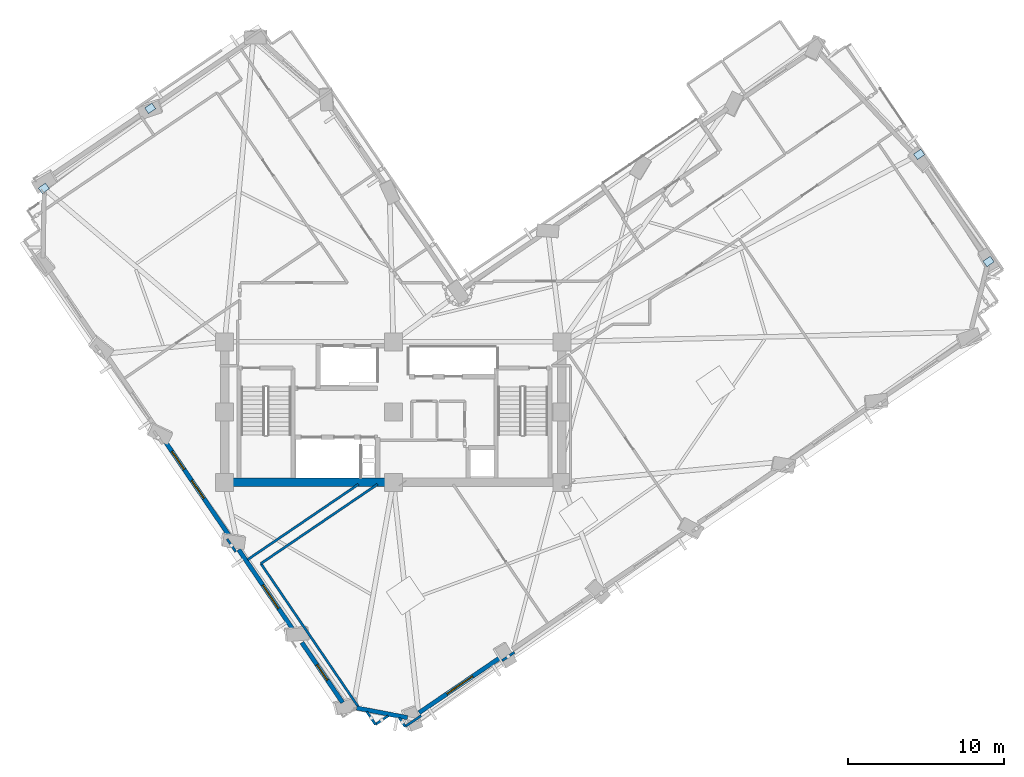
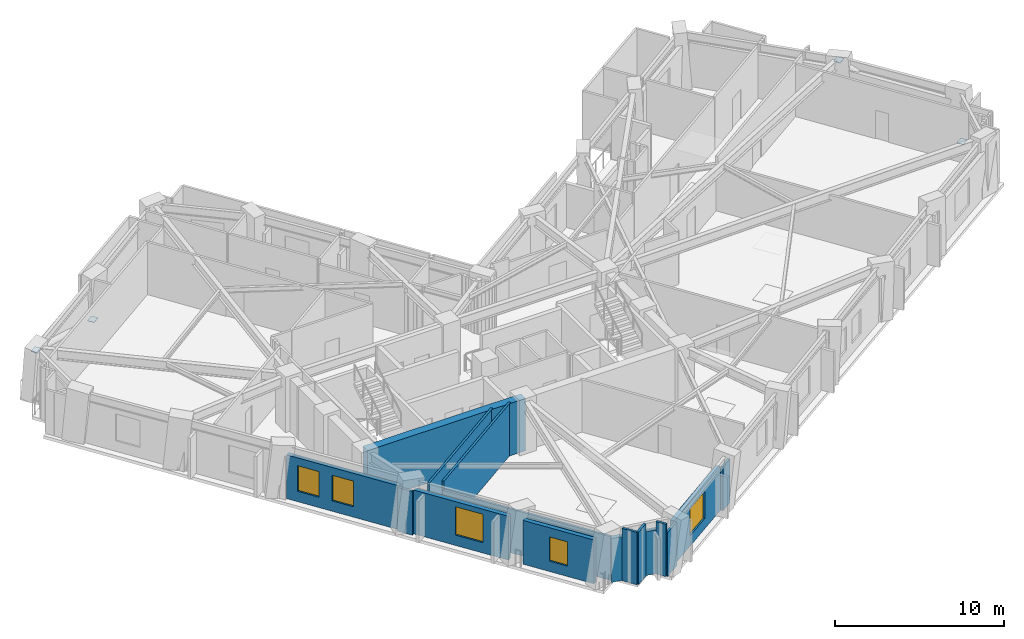
# One storey, part 7 of 16: 15 walls, 5 windows, 4 plates, 5 openings.
"""IFC4 building model written with IfcOpenShell, lengths in metres."""

from ifc_helpers import new_model, si_unit, direction, frame, frame_2d, origin, origin_2d, place, context, subcontext, project, spatial, rectangle, extrude, material, layer, layer_set, type_object, element, fill, save


model = new_model("IFC4")

# Units and contexts
model_context = context("Model", 3, precision=1e-05, world=origin(), true_north=direction((0.0, 1.0)))
body_context = subcontext(model_context, "Body", "Model", "MODEL_VIEW")
ifc_project = project(units=[si_unit("LENGTHUNIT", "METRE"), si_unit("AREAUNIT", "SQUARE_METRE"), si_unit("VOLUMEUNIT", "CUBIC_METRE"), si_unit("PLANEANGLEUNIT", "RADIAN"), si_unit("MASSUNIT", "GRAM", prefix="KILO")], contexts=[model_context])

# Site, building, storey
site_placement = place(None, origin())
site = spatial("IfcSite", under=ifc_project, at=site_placement, CompositionType="ELEMENT")
building_placement = place(site_placement, origin())
building = spatial("IfcBuilding", under=site, at=building_placement, Name="Gaonmaruhae Medical Tower", CompositionType="ELEMENT")
storey_placement = place(building_placement, frame((0.0, 0.0, 169.800048828125)))
storey = spatial("IfcBuildingStorey", under=building, at=storey_placement, Name="L40", CompositionType="ELEMENT", Elevation=169.800048828125)

# Plates
ifc_material_1 = material(Name="Steel HSA650 (650 MPa)", Category="steel")
ifc_layer_1 = layer(ifc_material_1, 0.028076171875)
ifc_layer_set_1 = layer_set([ifc_layer_1], Name="Steel HSA650 (650 MPa)")
plate_type = type_object("IfcPlateType", Name="GP-02 Tube Brace End Cap Gusset Plate", PredefinedType="USERDEFINED", material=ifc_layer_set_1)
for number, where, z_axis, x_axis, name in (
    (1, (62.9287109375, 21.940673828125, 0.23583984375), (0.0, 0.0, 1.0), (0.827080574275, 0.562083377852, 0.0), "L40 Gusset Cap Plate PLT-L40-PBR-E01A"),
    (2, (58.4814453125, 28.804931640625, 3.51611328125), (0.0, 0.0, 1.0), (0.817647619217, 0.575719003324, 0.0), "L40 Gusset Cap Plate PLT-L40-PBR-E01B"),
    (3, (9.2275390625, 31.7529296875, 0.23583984375), (0.0, 0.0, 1.0), (0.827080574275, 0.562083377852, 0.0), "L40 Gusset Cap Plate PLT-L40-PBR-N02A"),
    (4, (2.410888671875, 26.626953125, 3.51611328125), (0.0, 0.0, 1.0), (0.817647619217, 0.575719003324, 0.0), "L40 Gusset Cap Plate PLT-L40-PBR-N02B"),
):
    element("IfcPlate", number, at=place(storey_placement, frame(where, z_axis=z_axis, x_axis=x_axis)), inside=storey, type_object=plate_type, Name=name, ObjectType="GUSSET_PLATE", PredefinedType="USERDEFINED", context=body_context, shape_type="SweptSolid", body=[
        extrude(rectangle(XDim=0.56005859375, YDim=0.43994140625, at=origin_2d()), origin(), (0.0, 0.0, 1.0), 0.028076171875),
    ])

# Wall
ifc_material_2 = material(Name="Concrete C50/60", Category="concrete")
ifc_layer_2 = layer(ifc_material_2, 0.550048828125)
ifc_layer_set_2 = layer_set([ifc_layer_2], Name="Concrete C50/60")
wall_type_1 = type_object("IfcWallType", Name="CW-550 Mid-High Core Shear Wall", PredefinedType="SHEAR", material=ifc_layer_set_2)
wall_1_placement = place(storey_placement, frame((14.0, 7.800048828125, 0.0), z_axis=(0.0, 0.0, 1.0), x_axis=(1.0, 0.0, 0.0)))
element("IfcWall", 5, at=wall_1_placement, inside=storey, type_object=wall_type_1, Name="L40 Core Shear Wall CSW-S1", PredefinedType="SHEAR", context=body_context, shape_type="SweptSolid", body=[
    extrude(rectangle(XDim=10.800048828125, YDim=0.550048828125, at=frame_2d((5.39990234375, 0.0))), origin(), (0.0, 0.0, 1.0), 3.780029296875),
])

# Wall, opening, window
ifc_material_3 = material(Name="Precast concrete C45/55", Category="concrete")
ifc_layer_3 = layer(ifc_material_3, 0.280029296875)
ifc_layer_set_3 = layer_set([ifc_layer_3], Name="Precast concrete C45/55")
wall_type_2 = type_object("IfcWallType", Name="EW-280 Upper Precast Masonry-Frame Facade Wall", PredefinedType="SOLIDWALL", material=ifc_layer_set_3)
wall_2_placement = place(storey_placement, frame((31.640625, -3.433349609375, 0.0), z_axis=(0.0, 0.0, 1.0), x_axis=(-0.827069146488, -0.562100192962, 0.0)))
wall_2 = element("IfcWall", 6, at=wall_2_placement, inside=storey, type_object=wall_type_2, Name="L40 Precast Masonry-Frame Wall S01-S02", PredefinedType="SOLIDWALL", context=body_context, shape_type="SweptSolid", body=[
    extrude(rectangle(XDim=6.27001953125, YDim=0.280029296875, at=frame_2d((3.135009765625, 0.0))), origin(), (0.0, 0.0, 1.0), 3.1650390625),
])
opening_1_placement = place(wall_2_placement, frame((2.12939453125, 0.0, 0.75)))
opening_1 = element("IfcOpeningElement", 7, at=opening_1_placement, cuts=wall_2, Name="Opening WN-02", PredefinedType="OPENING", context=body_context, shape_type="SweptSolid", body=[
    extrude(rectangle(XDim=2.0, YDim=1.949951171875, at=frame_2d((1.0, 0.97509765625))), frame((0.0, 0.14990234375, 0.0), z_axis=(0.0, -1.0, 0.0), x_axis=(1.0, 0.0, 0.0)), (0.0, 0.0, 1.0), 0.300048828125),
])
ifc_material_4 = material(Name="Anodised aluminium and Low-E double glazing", Category="aluminium")
window_type_1 = type_object("IfcWindowType", Name="WN-02 Double-Bed Ward Punched Window 2000x1950", PartitioningType="SINGLE_PANEL", PredefinedType="WINDOW", material=ifc_material_4)
window_1_placement = place(opening_1_placement, origin())
window_1 = element("IfcWindow", 8, at=window_1_placement, inside=storey, type_object=window_type_1, Name="L40 Modular Facade Window S01", OverallHeight=1.949951171875, OverallWidth=2.0, PartitioningType="SINGLE_PANEL", PredefinedType="WINDOW", context=body_context, shape_type="SweptSolid", body=[
    extrude(rectangle(XDim=2.0, YDim=1.949951171875, at=frame_2d((1.0, 0.97509765625))), frame((0.0, 0.030029296875, 0.0), z_axis=(0.0, -1.0, 0.0), x_axis=(1.0, 0.0, 0.0)), (0.0, 0.0, 1.0), 0.06005859375),
])
fill(opening_1, window_1)

# Wall, openings, windows
wall_3_placement = place(storey_placement, frame((14.344482421875, 4.297607421875, 0.0), z_axis=(0.0, 0.0, 1.0), x_axis=(-0.562080452942, 0.827082562034, 0.0)))
wall_3 = element("IfcWall", 9, at=wall_3_placement, inside=storey, type_object=wall_type_2, Name="L40 Precast Masonry-Frame Wall W03-W04", PredefinedType="SOLIDWALL", context=body_context, shape_type="SweptSolid", body=[
    extrude(rectangle(XDim=7.360107421875, YDim=0.280029296875, at=frame_2d((3.68017578125, 0.0))), origin(), (0.0, 0.0, 1.0), 3.1650390625),
])
opening_2_placement = place(wall_3_placement, frame((2.980712890625, 0.0, 0.75)))
opening_2 = element("IfcOpeningElement", 10, at=opening_2_placement, cuts=wall_3, Name="Opening WN-03", PredefinedType="OPENING", context=body_context, shape_type="SweptSolid", body=[
    extrude(rectangle(XDim=1.39990234375, YDim=1.85009765625, at=frame_2d((0.699951171875, 0.925048828125))), frame((0.0, 0.14990234375, 0.0), z_axis=(0.0, -1.0, 0.0), x_axis=(1.0, 0.0, 0.0)), (0.0, 0.0, 1.0), 0.300048828125),
])
opening_3_placement = place(wall_3_placement, frame((5.235595703125, 0.0, 0.75)))
opening_3 = element("IfcOpeningElement", 11, at=opening_3_placement, cuts=wall_3, Name="Opening WN-03", PredefinedType="OPENING", context=body_context, shape_type="SweptSolid", body=[
    extrude(rectangle(XDim=1.39990234375, YDim=1.85009765625, at=frame_2d((0.699951171875, 0.925048828125))), frame((0.0, 0.14990234375, 0.0), z_axis=(0.0, -1.0, 0.0), x_axis=(1.0, 0.0, 0.0)), (0.0, 0.0, 1.0), 0.300048828125),
])
window_type_2 = type_object("IfcWindowType", Name="WN-03 Isolation Ward Punched Window 1400x1850", PartitioningType="SINGLE_PANEL", PredefinedType="WINDOW", material=ifc_material_4)
window_2_placement = place(opening_2_placement, origin())
window_2 = element("IfcWindow", 12, at=window_2_placement, inside=storey, type_object=window_type_2, Name="L40 Modular Facade Window W03", OverallHeight=1.85009765625, OverallWidth=1.39990234375, PartitioningType="SINGLE_PANEL", PredefinedType="WINDOW", context=body_context, shape_type="SweptSolid", body=[
    extrude(rectangle(XDim=1.39990234375, YDim=1.85009765625, at=frame_2d((0.699951171875, 0.925048828125))), frame((0.0, 0.030029296875, 0.0), z_axis=(0.0, -1.0, 0.0), x_axis=(1.0, 0.0, 0.0)), (0.0, 0.0, 1.0), 0.06005859375),
])
fill(opening_2, window_2)
window_3_placement = place(opening_3_placement, origin())
window_3 = element("IfcWindow", 13, at=window_3_placement, inside=storey, type_object=window_type_2, Name="L40 Modular Facade Window W03B", OverallHeight=1.85009765625, OverallWidth=1.39990234375, PartitioningType="SINGLE_PANEL", PredefinedType="WINDOW", context=body_context, shape_type="SweptSolid", body=[
    extrude(rectangle(XDim=1.39990234375, YDim=1.85009765625, at=frame_2d((0.699951171875, 0.925048828125))), frame((0.0, 0.030029296875, 0.0), z_axis=(0.0, -1.0, 0.0), x_axis=(1.0, 0.0, 0.0)), (0.0, 0.0, 1.0), 0.06005859375),
])
fill(opening_3, window_3)

# Wall, opening, window
wall_4_placement = place(storey_placement, frame((18.39697265625, -1.66552734375, 0.0), z_axis=(0.0, 0.0, 1.0), x_axis=(-0.562110427099, 0.827062190979, 0.0)))
wall_4 = element("IfcWall", 14, at=wall_4_placement, inside=storey, type_object=wall_type_2, Name="L40 Precast Masonry-Frame Wall W04-W05", PredefinedType="SOLIDWALL", context=body_context, shape_type="SweptSolid", body=[
    extrude(rectangle(XDim=6.223388671875, YDim=0.280029296875, at=frame_2d((3.11181640625, 0.0))), origin(), (0.0, 0.0, 1.0), 3.1650390625),
])
opening_4_placement = place(wall_4_placement, frame((1.687744140625, 0.0, 0.75)))
opening_4 = element("IfcOpeningElement", 15, at=opening_4_placement, cuts=wall_4, Name="Opening WN-04", PredefinedType="OPENING", context=body_context, shape_type="SweptSolid", body=[
    extrude(rectangle(XDim=1.800048828125, YDim=2.050048828125, at=frame_2d((0.89990234375, 1.02490234375))), frame((0.0, 0.14990234375, 0.0), z_axis=(0.0, -1.0, 0.0), x_axis=(1.0, 0.0, 0.0)), (0.0, 0.0, 1.0), 0.300048828125),
])
window_type_3 = type_object("IfcWindowType", Name="WN-04 Clinic & Consult Punched Window 1800x2050", PartitioningType="SINGLE_PANEL", PredefinedType="WINDOW", material=ifc_material_4)
window_4_placement = place(opening_4_placement, origin())
window_4 = element("IfcWindow", 16, at=window_4_placement, inside=storey, type_object=window_type_3, Name="L40 Modular Facade Window W04", OverallHeight=2.050048828125, OverallWidth=1.800048828125, PartitioningType="SINGLE_PANEL", PredefinedType="WINDOW", context=body_context, shape_type="SweptSolid", body=[
    extrude(rectangle(XDim=1.800048828125, YDim=2.050048828125, at=frame_2d((0.89990234375, 1.02490234375))), frame((0.0, 0.030029296875, 0.0), z_axis=(0.0, -1.0, 0.0), x_axis=(1.0, 0.0, 0.0)), (0.0, 0.0, 1.0), 0.06005859375),
])
fill(opening_4, window_4)

wall_5_placement = place(storey_placement, frame((21.552001953125, -6.30810546875, 0.0), z_axis=(0.0, 0.0, 1.0), x_axis=(-0.562072922815, 0.827087679414, 0.0)))
wall_5 = element("IfcWall", 17, at=wall_5_placement, inside=storey, type_object=wall_type_2, Name="L40 Precast Masonry-Frame Wall W05-W06", PredefinedType="SOLIDWALL", context=body_context, shape_type="SweptSolid", body=[
    extrude(rectangle(XDim=4.647705078125, YDim=0.280029296875, at=frame_2d((2.32373046875, 0.0))), origin(), (0.0, 0.0, 1.0), 3.1650390625),
])
opening_5_placement = place(wall_5_placement, frame((1.72705078125, 0.0, 0.75)))
opening_5 = element("IfcOpeningElement", 18, at=opening_5_placement, cuts=wall_5, Name="Opening WN-05", PredefinedType="OPENING", context=body_context, shape_type="SweptSolid", body=[
    extrude(rectangle(XDim=1.199951171875, YDim=1.75, at=frame_2d((0.60009765625, 0.875))), frame((0.0, 0.14990234375, 0.0), z_axis=(0.0, -1.0, 0.0), x_axis=(1.0, 0.0, 0.0)), (0.0, 0.0, 1.0), 0.300048828125),
])
window_type_4 = type_object("IfcWindowType", Name="WN-05 Support & Staff Punched Window 1200x1750", PartitioningType="SINGLE_PANEL", PredefinedType="WINDOW", material=ifc_material_4)
window_5_placement = place(opening_5_placement, origin())
window_5 = element("IfcWindow", 19, at=window_5_placement, inside=storey, type_object=window_type_4, Name="L40 Modular Facade Window W05", OverallHeight=1.75, OverallWidth=1.199951171875, PartitioningType="SINGLE_PANEL", PredefinedType="WINDOW", context=body_context, shape_type="SweptSolid", body=[
    extrude(rectangle(XDim=1.199951171875, YDim=1.75, at=frame_2d((0.60009765625, 0.875))), frame((0.0, 0.030029296875, 0.0), z_axis=(0.0, -1.0, 0.0), x_axis=(1.0, 0.0, 0.0)), (0.0, 0.0, 1.0), 0.06005859375),
])
fill(opening_5, window_5)

# Walls
wall_6_placement = place(storey_placement, frame((25.70703125, -7.275634765625, 0.0), z_axis=(0.0, 0.0, 1.0), x_axis=(-0.982290944537, 0.187361949927, 0.0)))
element("IfcWall", 20, at=wall_6_placement, inside=storey, type_object=wall_type_2, Name="L40 Precast Masonry-Frame Wall W06-S01", PredefinedType="SOLIDWALL", context=body_context, shape_type="SweptSolid", body=[
    extrude(rectangle(XDim=3.32275390625, YDim=0.280029296875, at=frame_2d((1.661376953125, 0.0))), origin(), (0.0, 0.0, 1.0), 3.1650390625),
])
ifc_material_5 = material(Name="Gypsum board partition", Category="gypsum")
ifc_layer_4 = layer(ifc_material_5, 0.14990234375)
ifc_layer_set_4 = layer_set([ifc_layer_4], Name="Gypsum board partition")
wall_type_3 = type_object("IfcWallType", Name="PW-150 Rated Clinical Corridor Partition", PredefinedType="PARTITIONING", material=ifc_layer_set_4)
wall_7_placement = place(storey_placement, frame((23.655029296875, -7.7119140625, 0.0), z_axis=(0.0, 0.0, 1.0), x_axis=(-0.56192452881, 0.827188505675, 0.0)))
element("IfcWall", 21, at=wall_7_placement, inside=storey, type_object=wall_type_3, Name="L40 Interior Partition L40-SUP01-8", PredefinedType="PARTITIONING", context=body_context, shape_type="SweptSolid", body=[
    extrude(rectangle(XDim=0.987548828125, YDim=0.14990234375, at=frame_2d((0.49365234375, 0.0))), origin(), (0.0, 0.0, 1.0), 3.780029296875),
])
wall_8_placement = place(storey_placement, frame((22.534912109375, -6.552978515625, 0.0), z_axis=(0.0, 0.0, 1.0), x_axis=(-0.562108981363, 0.827063173567, 0.0)))
element("IfcWall", 22, at=wall_8_placement, inside=storey, type_object=wall_type_3, Name="L40 Interior Partition L40-SUP01-9", PredefinedType="PARTITIONING", context=body_context, shape_type="SweptSolid", body=[
    extrude(rectangle(XDim=11.06201171875, YDim=0.14990234375, at=frame_2d((5.531005859375, 0.0))), origin(), (0.0, 0.0, 1.0), 3.1650390625),
])
wall_9_placement = place(storey_placement, frame((16.31689453125, 2.595947265625, 0.0), z_axis=(0.0, 0.0, 1.0), x_axis=(0.82709631039, 0.562060222165, 0.0)))
element("IfcWall", 23, at=wall_9_placement, inside=storey, type_object=wall_type_3, Name="L40 Interior Partition L40-SUP01-10", PredefinedType="PARTITIONING", context=body_context, shape_type="SweptSolid", body=[
    extrude(rectangle(XDim=9.03662109375, YDim=0.14990234375, at=frame_2d((4.518310546875, 0.0))), origin(), (0.0, 0.0, 1.0), 3.780029296875),
])
wall_10_placement = place(storey_placement, frame((32.556884765625, -3.089111328125, 0.0), z_axis=(0.0, 0.0, 1.0), x_axis=(-0.827002855059, -0.562197721202, 0.0)))
element("IfcWall", 24, at=wall_10_placement, inside=storey, type_object=wall_type_3, Name="L40 Interior Partition L40-SUP01-12", PredefinedType="PARTITIONING", context=body_context, shape_type="SweptSolid", body=[
    extrude(rectangle(XDim=0.951416015625, YDim=0.14990234375, at=frame_2d((0.4755859375, 0.0))), origin(), (0.0, 0.0, 1.0), 3.1650390625),
])
wall_11_placement = place(storey_placement, frame((26.583984375, -7.14794921875, 0.0), z_axis=(0.0, 0.0, 1.0), x_axis=(-0.826893528109, -0.562358509469, 0.0)))
element("IfcWall", 25, at=wall_11_placement, inside=storey, type_object=wall_type_3, Name="L40 Interior Partition L40-SUP01-13", PredefinedType="PARTITIONING", context=body_context, shape_type="SweptSolid", body=[
    extrude(rectangle(XDim=1.239501953125, YDim=0.14990234375, at=frame_2d((0.61962890625, 0.0))), origin(), (0.0, 0.0, 1.0), 3.1650390625),
])
wall_12_placement = place(storey_placement, frame((25.55908203125, -7.844970703125, 0.0), z_axis=(0.0, 0.0, 1.0), x_axis=(-0.56293976401, 0.826497926251, 0.0)))
element("IfcWall", 26, at=wall_12_placement, inside=storey, type_object=wall_type_3, Name="L40 Interior Partition L40-SUP01-14", PredefinedType="PARTITIONING", context=body_context, shape_type="SweptSolid", body=[
    extrude(rectangle(XDim=0.66796875, YDim=0.14990234375, at=frame_2d((0.333984375, 0.0))), origin(), (0.0, 0.0, 1.0), 3.780029296875),
])
wall_13_placement = place(storey_placement, frame((24.470947265625, -7.156982421875, 0.0), z_axis=(0.0, 0.0, 1.0), x_axis=(-0.826875877886, -0.56238446153, 0.0)))
element("IfcWall", 27, at=wall_13_placement, inside=storey, type_object=wall_type_3, Name="L40 Interior Partition L40-SUP01-15", PredefinedType="PARTITIONING", context=body_context, shape_type="SweptSolid", body=[
    extrude(rectangle(XDim=0.98681640625, YDim=0.14990234375, at=frame_2d((0.493408203125, 0.0))), origin(), (0.0, 0.0, 1.0), 3.780029296875),
])
wall_14_placement = place(storey_placement, frame((22.571044921875, 7.675048828125, 0.0), z_axis=(0.0, 0.0, 1.0), x_axis=(-0.827048106259, -0.562131150119, 0.0)))
element("IfcWall", 28, at=wall_14_placement, inside=storey, type_object=wall_type_3, Name="L40 Interior Partition L40-WOF05-39", PredefinedType="PARTITIONING", context=body_context, shape_type="SweptSolid", body=[
    extrude(rectangle(XDim=8.587158203125, YDim=0.14990234375, at=frame_2d((4.29345703125, 0.0))), origin(), (0.0, 0.0, 1.0), 3.780029296875),
])
wall_15_placement = place(storey_placement, frame((14.7080078125, 3.35205078125, 0.0), z_axis=(0.0, 0.0, 1.0), x_axis=(-0.561707230163, 0.82733607898, 0.0)))
element("IfcWall", 29, at=wall_15_placement, inside=storey, type_object=wall_type_3, Name="L40 Interior Partition L40-WOF05-40", PredefinedType="PARTITIONING", context=body_context, shape_type="SweptSolid", body=[
    extrude(rectangle(XDim=0.986083984375, YDim=0.14990234375, at=frame_2d((0.4931640625, 0.0))), origin(), (0.0, 0.0, 1.0), 3.1650390625),
])

save(model, "model.ifc")
